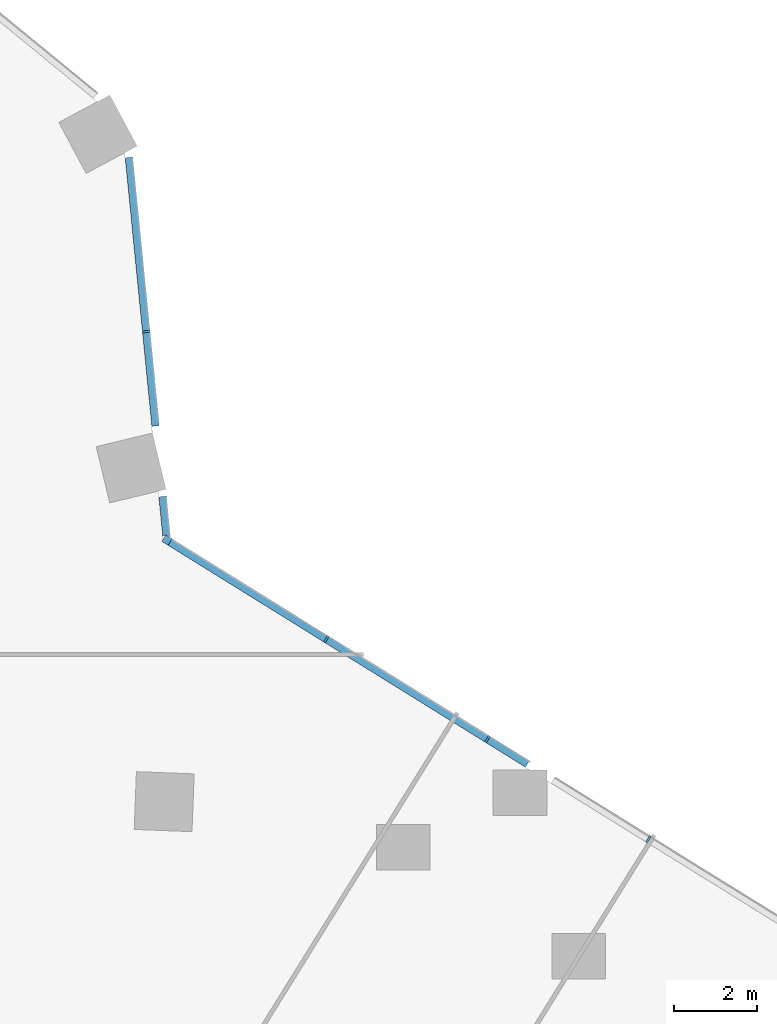
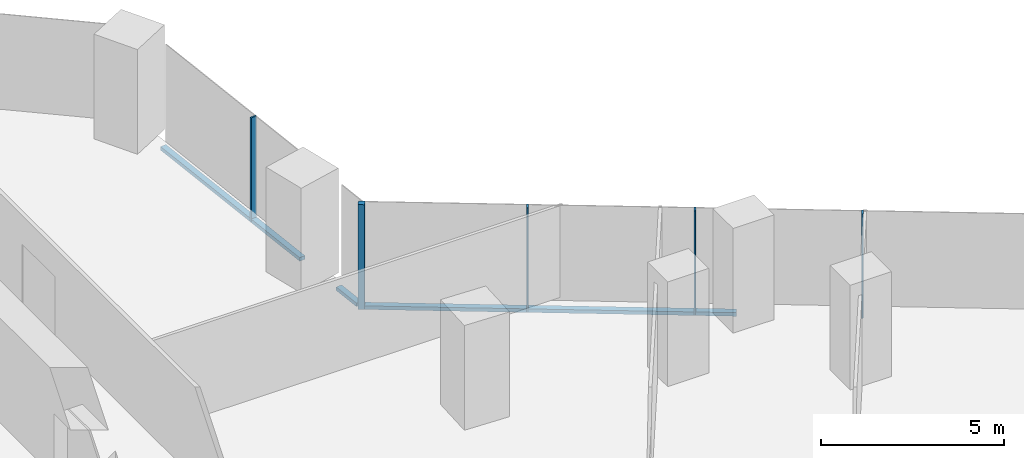
# One storey, part 10 of 34: 8 members, 2 elements without a shape of their own.
"""IFC4 building model written with IfcOpenShell, lengths in metres."""

from ifc_helpers import new_model, si_unit, direction, frame, origin, origin_2d, place, context, subcontext, project, spatial, rectangle, extrude, material, material_profile, profile_set, type_object, element, aggregate, save


model = new_model("IFC4")

# Units and contexts
model_context = context("Model", 3, precision=1e-05, world=origin(), true_north=direction((0.0, 1.0)))
body_context = subcontext(model_context, "Body", "Model", "MODEL_VIEW")
ifc_project = project(units=[si_unit("LENGTHUNIT", "METRE"), si_unit("AREAUNIT", "SQUARE_METRE"), si_unit("VOLUMEUNIT", "CUBIC_METRE"), si_unit("PLANEANGLEUNIT", "RADIAN"), si_unit("MASSUNIT", "GRAM", prefix="KILO")], contexts=[model_context])

# Site, building, storey
site_placement = place(None, origin())
site = spatial("IfcSite", under=ifc_project, at=site_placement, CompositionType="ELEMENT")
building_placement = place(site_placement, origin())
building = spatial("IfcBuilding", under=site, at=building_placement, Name="Orlundy Tower", CompositionType="ELEMENT")
storey_placement = place(building_placement, frame((0.0, 0.0, 40.800048828125)))
storey = spatial("IfcBuildingStorey", under=building, at=storey_placement, Name="L08", CompositionType="ELEMENT", Elevation=40.800048828125)

# Curtain wall, member
ifc_material_1 = material(Name="Aluminium bronze anodised", Category="aluminium")
curtain_wall_type = type_object("IfcCurtainWallType", Name="CW1 wall", PredefinedType="NOTDEFINED", material=ifc_material_1)
curtain_wall_1_placement = place(storey_placement, origin())
curtain_wall_1 = element("IfcCurtainWall", 1, at=curtain_wall_1_placement, inside=storey, type_object=curtain_wall_type, Name="CW1 run 06", PredefinedType="NOTDEFINED")
ifc_material_2 = material(Name="Aluminium bronze anodised", Category="aluminium")
ifc_material_profile_1 = material_profile(ifc_material_2, rectangle(XDim=0.179931640625, YDim=0.179931640625, at=origin_2d()), Name="CW1 corner post 180x180")
ifc_profile_set_1 = profile_set([ifc_material_profile_1], Name="Aluminium bronze anodised")
member_type_1 = type_object("IfcMemberType", Name="CW1 corner post 180x180", PredefinedType="MULLION", material=ifc_profile_set_1)
member_1_placement = place(storey_placement, frame((29.72216796875, 5.194091796875, -0.420166015625), z_axis=(0.0, 0.0, 1.0), x_axis=(0.527453271529, 0.849584043137, 0.0)))
member_1 = element("IfcMember", 2, at=member_1_placement, type_object=member_type_1, Name="CW1 mullion 26", PredefinedType="MULLION", context=body_context, shape_type="SweptSolid", body=[
    extrude(rectangle(XDim=0.179931640625, YDim=0.179931640625, at=origin_2d()), origin(), (0.0, 0.0, 1.0), 3.5),
])

curtain_wall_2_placement = place(storey_placement, origin())
curtain_wall_2 = element("IfcCurtainWall", 3, at=curtain_wall_2_placement, inside=storey, type_object=curtain_wall_type, Name="CW1 run 05", PredefinedType="NOTDEFINED")
ifc_material_3 = material(Name="Aluminium bronze anodised", Category="aluminium")
ifc_material_profile_2 = material_profile(ifc_material_3, rectangle(XDim=0.179931640625, YDim=0.050048828125, at=origin_2d()), Name="CW1 mullion 50x180")
ifc_profile_set_2 = profile_set([ifc_material_profile_2], Name="Aluminium bronze anodised")
member_type_2 = type_object("IfcMemberType", Name="CW1 mullion 50x180", PredefinedType="MULLION", material=ifc_profile_set_2)
member_2_placement = place(storey_placement, frame((29.220947265625, 10.243408203125, -0.420166015625), z_axis=(0.0, 0.0, 1.0), x_axis=(0.995111383815, 0.098758968204, 0.0)))
member_2 = element("IfcMember", 4, at=member_2_placement, type_object=member_type_2, Name="CW1 mullion 25", PredefinedType="MULLION", context=body_context, shape_type="SweptSolid", body=[
    extrude(rectangle(XDim=0.179931640625, YDim=0.050048828125, at=origin_2d()), origin(), (0.0, 0.0, 1.0), 3.5),
])

# Member
member_3_placement = place(storey_placement, frame((33.5830078125, 2.797119140625, -0.420166015625), z_axis=(0.0, 0.0, 1.0), x_axis=(0.527453271529, 0.849584043137, 0.0)))
member_3 = element("IfcMember", 5, at=member_3_placement, type_object=member_type_2, Name="CW1 mullion 27", PredefinedType="MULLION", context=body_context, shape_type="SweptSolid", body=[
    extrude(rectangle(XDim=0.179931640625, YDim=0.050048828125, at=origin_2d()), origin(), (0.0, 0.0, 1.0), 3.5),
])

member_4_placement = place(storey_placement, frame((37.4814453125, 0.376708984375, -0.420166015625), z_axis=(0.0, 0.0, 1.0), x_axis=(0.527453271529, 0.849584043137, 0.0)))
member_4 = element("IfcMember", 6, at=member_4_placement, type_object=member_type_2, Name="CW1 mullion 28", PredefinedType="MULLION", context=body_context, shape_type="SweptSolid", body=[
    extrude(rectangle(XDim=0.179931640625, YDim=0.050048828125, at=origin_2d()), origin(), (0.0, 0.0, 1.0), 3.5),
])

member_5_placement = place(storey_placement, frame((41.3798828125, -2.04345703125, -0.420166015625), z_axis=(0.0, 0.0, 1.0), x_axis=(0.527453271529, 0.849584043137, 0.0)))
member_5 = element("IfcMember", 7, at=member_5_placement, type_object=member_type_2, Name="CW1 mullion 29", PredefinedType="MULLION", context=body_context, shape_type="SweptSolid", body=[
    extrude(rectangle(XDim=0.179931640625, YDim=0.050048828125, at=origin_2d()), origin(), (0.0, 0.0, 1.0), 3.5),
])

ifc_material_4 = material(Name="Aluminium bronze anodised", Category="aluminium")
ifc_material_profile_3 = material_profile(ifc_material_4, rectangle(XDim=0.179931640625, YDim=0.1201171875, at=origin_2d()), Name="CW1 transom 180x120")
ifc_profile_set_3 = profile_set([ifc_material_profile_3], Name="Aluminium bronze anodised")
member_type_3 = type_object("IfcMemberType", Name="CW1 transom 180x120", PredefinedType="USERDEFINED", material=ifc_profile_set_3)
member_6_placement = place(storey_placement, frame((28.802734375, 14.457763671875, -0.360107421875), z_axis=(0.098763452302, -0.995110938785, 0.0), x_axis=(0.995110938785, 0.098763452302, 0.0)))
member_6 = element("IfcMember", 8, at=member_6_placement, type_object=member_type_3, Name="CW1 transom", ObjectType="TRANSOM", PredefinedType="USERDEFINED", context=body_context, shape_type="SweptSolid", body=[
    extrude(rectangle(XDim=0.179931640625, YDim=0.1201171875, at=origin_2d()), origin(), (0.0, 0.0, 1.0), 6.531005859375),
])

member_7_placement = place(storey_placement, frame((29.6171875, 6.2509765625, -0.360107421875), z_axis=(0.098815776009, -0.995105744337, 0.0), x_axis=(0.995105744337, 0.098815776009, 0.0)))
member_7 = element("IfcMember", 9, at=member_7_placement, type_object=member_type_3, Name="CW1 transom", ObjectType="TRANSOM", PredefinedType="USERDEFINED", context=body_context, shape_type="SweptSolid", body=[
    extrude(rectangle(XDim=0.179931640625, YDim=0.1201171875, at=origin_2d()), origin(), (0.0, 0.0, 1.0), 0.94873046875),
])

aggregate(curtain_wall_2, [member_2, member_6, member_7])

member_8_placement = place(storey_placement, frame((29.798583984375, 5.146484375, -0.360107421875), z_axis=(0.849585332978, -0.527451193939, 0.0), x_axis=(0.527451193939, 0.849585332978, 0.0)))
member_8 = element("IfcMember", 10, at=member_8_placement, type_object=member_type_3, Name="CW1 transom", ObjectType="TRANSOM", PredefinedType="USERDEFINED", context=body_context, shape_type="SweptSolid", body=[
    extrude(rectangle(XDim=0.179931640625, YDim=0.1201171875, at=origin_2d()), origin(), (0.0, 0.0, 1.0), 10.18212890625),
])

aggregate(curtain_wall_1, [member_1, member_3, member_4, member_5, member_8])

save(model, "model.ifc")
